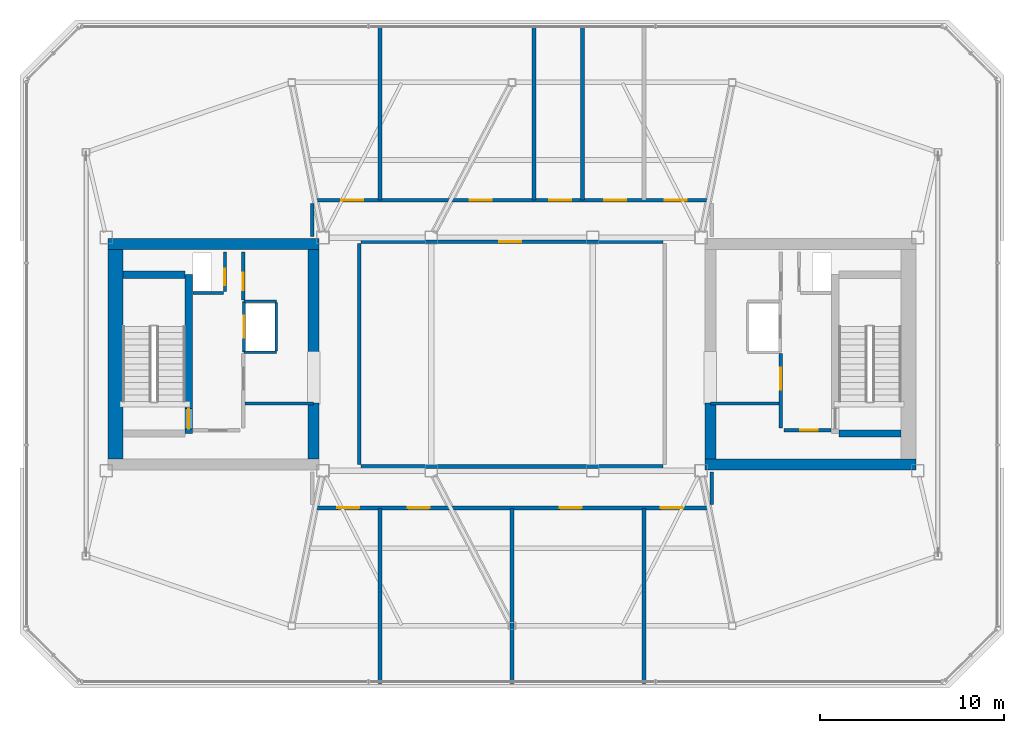
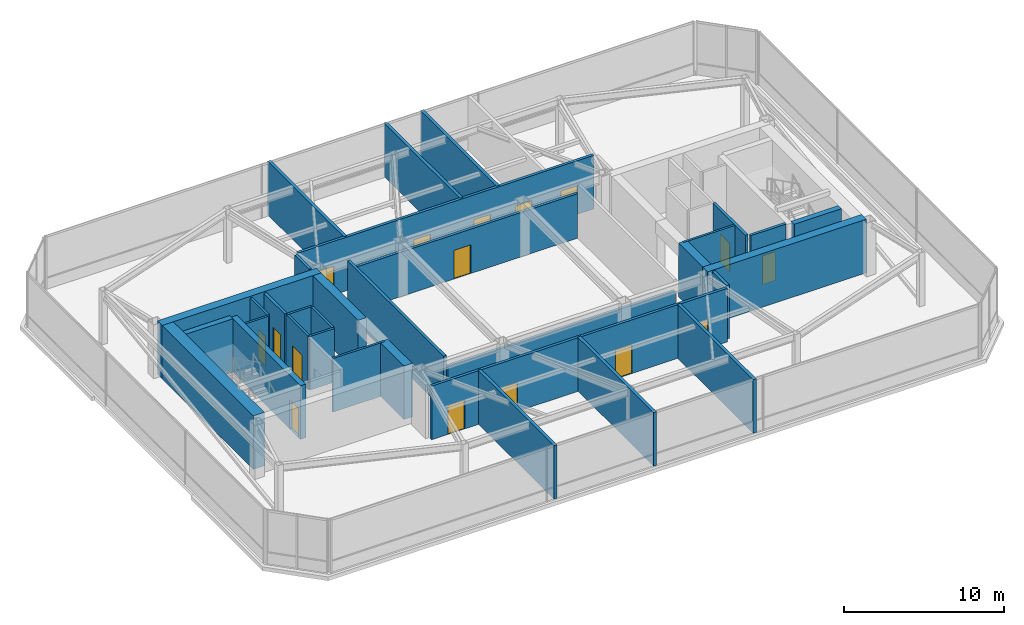
# One storey, part 17 of 21: 33 walls, 16 doors, 16 openings.
"""IFC4 building model written with IfcOpenShell, lengths in metres."""

from ifc_helpers import new_model, si_unit, direction, frame, frame_2d, origin, place, context, subcontext, project, spatial, rectangle, extrude, material, layer, layer_set, type_object, element, fill, save


model = new_model("IFC4")

# Units and contexts
model_context = context("Model", 3, precision=1e-05, world=origin(), true_north=direction((0.0, 1.0)))
body_context = subcontext(model_context, "Body", "Model", "MODEL_VIEW")
ifc_project = project(units=[si_unit("LENGTHUNIT", "METRE"), si_unit("AREAUNIT", "SQUARE_METRE"), si_unit("VOLUMEUNIT", "CUBIC_METRE"), si_unit("PLANEANGLEUNIT", "RADIAN"), si_unit("MASSUNIT", "GRAM", prefix="KILO")], contexts=[model_context])

# Site, building, storey
site_placement = place(None, origin())
site = spatial("IfcSite", under=ifc_project, at=site_placement, CompositionType="ELEMENT")
building_placement = place(site_placement, origin())
building = spatial("IfcBuilding", under=site, at=building_placement, Name="Tavrogorsk Clinical Tower", CompositionType="ELEMENT")
storey_placement = place(building_placement, frame((0.0, 0.0, 344.199951171875)))
storey = spatial("IfcBuildingStorey", under=building, at=storey_placement, Name="L80", CompositionType="ELEMENT", Elevation=344.199951171875)

# Wall, opening, door
ifc_material_1 = material(Name="Concrete B60", Category="concrete")
ifc_layer_1 = layer(ifc_material_1, 0.199951171875)
ifc_layer_set_1 = layer_set([ifc_layer_1], Name="Concrete B60")
wall_type_1 = type_object("IfcWallType", Name="CoreFireWall_200", PredefinedType="SOLIDWALL", material=ifc_layer_set_1)
wall_1_placement = place(storey_placement, frame((-14.639892578125, 2.9599609375, 0.0), z_axis=(0.0, 0.0, 1.0), x_axis=(0.0, 1.0, 0.0)))
wall_1 = element("IfcWall", 1, at=wall_1_placement, inside=storey, type_object=wall_type_1, Name="L80 Core West North Core Room East Wall", PredefinedType="SOLIDWALL", context=body_context, shape_type="SweptSolid", body=[
    extrude(rectangle(XDim=2.60009765625, YDim=0.199951171875, at=frame_2d((1.300048828125, 0.0))), origin(), (0.0, 0.0, 1.0), 4.10009765625),
])
opening_1_placement = place(wall_1_placement, frame((0.52001953125, 0.0, 0.0)))
opening_1 = element("IfcOpeningElement", 2, at=opening_1_placement, cuts=wall_1, Name="Opening ID-02", PredefinedType="OPENING", context=body_context, shape_type="SweptSolid", body=[
    extrude(rectangle(XDim=0.949951171875, YDim=2.199951171875, at=frame_2d((0.47509765625, 1.10009765625))), frame((0.0, 0.10986328125, 0.0), z_axis=(0.0, -1.0, 0.0), x_axis=(1.0, 0.0, 0.0)), (0.0, 0.0, 1.0), 0.219970703125),
])
ifc_material_2 = material(Name="Laminated timber leaf on aluminium frame", Category="wood")
door_type_1 = type_object("IfcDoorType", Name="InteriorDoor_ID02_950", OperationType="NOTDEFINED", PredefinedType="DOOR", material=ifc_material_2)
door_1_placement = place(opening_1_placement, origin())
door_1 = element("IfcDoor", 3, at=door_1_placement, inside=storey, type_object=door_type_1, Name="L80 Core West Core Telemetry Room Door", OperationType="SINGLE_SWING_LEFT", OverallHeight=2.199951171875, OverallWidth=0.949951171875, PredefinedType="DOOR", context=body_context, shape_type="SweptSolid", body=[
    extrude(rectangle(XDim=0.949951171875, YDim=2.199951171875, at=frame_2d((0.47509765625, 1.10009765625))), frame((0.0, 0.02490234375, 0.0), z_axis=(0.0, -1.0, 0.0), x_axis=(1.0, 0.0, 0.0)), (0.0, 0.0, 1.0), 0.050048828125),
])
fill(opening_1, door_1)

wall_2_placement = place(storey_placement, frame((14.824951171875, -4.139892578125, 0.0), z_axis=(0.0, 0.0, 1.0), x_axis=(1.0, 0.0, 0.0)))
wall_2 = element("IfcWall", 4, at=wall_2_placement, inside=storey, type_object=wall_type_1, Name="L80 Core East South Core Room Fire Wall", PredefinedType="SOLIDWALL", context=body_context, shape_type="SweptSolid", body=[
    extrude(rectangle(XDim=2.554931640625, YDim=0.199951171875, at=frame_2d((1.27734375, 0.0))), origin(), (0.0, 0.0, 1.0), 4.10009765625),
])
opening_2_placement = place(wall_2_placement, frame((0.8798828125, 0.0, 0.0)))
opening_2 = element("IfcOpeningElement", 5, at=opening_2_placement, cuts=wall_2, Name="Opening ID-02", PredefinedType="OPENING", context=body_context, shape_type="SweptSolid", body=[
    extrude(rectangle(XDim=0.949951171875, YDim=2.199951171875, at=frame_2d((0.47509765625, 1.10009765625))), frame((0.0, 0.10986328125, 0.0), z_axis=(0.0, -1.0, 0.0), x_axis=(1.0, 0.0, 0.0)), (0.0, 0.0, 1.0), 0.219970703125),
])
door_2_placement = place(opening_2_placement, origin())
door_2 = element("IfcDoor", 6, at=door_2_placement, inside=storey, type_object=door_type_1, Name="L80 Core East South Core Room Door", OperationType="SINGLE_SWING_RIGHT", OverallHeight=2.199951171875, OverallWidth=0.949951171875, PredefinedType="DOOR", context=body_context, shape_type="SweptSolid", body=[
    extrude(rectangle(XDim=0.949951171875, YDim=2.199951171875, at=frame_2d((0.47509765625, 1.10009765625))), frame((0.0, 0.02490234375, 0.0), z_axis=(0.0, -1.0, 0.0), x_axis=(1.0, 0.0, 0.0)), (0.0, 0.0, 1.0), 0.050048828125),
])
fill(opening_2, door_2)

wall_3_placement = place(storey_placement, frame((14.639892578125, -4.034912109375, 0.0), z_axis=(0.0, 0.0, 1.0), x_axis=(0.0, 1.0, 0.0)))
wall_3 = element("IfcWall", 7, at=wall_3_placement, inside=storey, type_object=wall_type_1, Name="L80 Core East Firefighting Lobby Fire Wall", PredefinedType="SOLIDWALL", context=body_context, shape_type="SweptSolid", body=[
    extrude(rectangle(XDim=4.074951171875, YDim=0.199951171875, at=frame_2d((2.03759765625, 0.0))), origin(), (0.0, 0.0, 1.0), 4.10009765625),
])
opening_3_placement = place(wall_3_placement, frame((2.090087890625, 0.0, 0.0)))
opening_3 = element("IfcOpeningElement", 8, at=opening_3_placement, cuts=wall_3, Name="Opening FD-01", PredefinedType="OPENING", context=body_context, shape_type="SweptSolid", body=[
    extrude(rectangle(XDim=1.199951171875, YDim=2.199951171875, at=frame_2d((0.60009765625, 1.10009765625))), frame((0.0, 0.10986328125, 0.0), z_axis=(0.0, -1.0, 0.0), x_axis=(1.0, 0.0, 0.0)), (0.0, 0.0, 1.0), 0.219970703125),
])
ifc_material_3 = material(Name="Galvanised steel fire-rated door assembly", Category="steel")
door_type_2 = type_object("IfcDoorType", Name="FireDoor_FD01_1200", OperationType="NOTDEFINED", PredefinedType="DOOR", material=ifc_material_3)
door_3_placement = place(opening_3_placement, origin())
door_3 = element("IfcDoor", 9, at=door_3_placement, inside=storey, type_object=door_type_2, Name="L80 Core East Firefighting Lobby Entry Door", OperationType="SINGLE_SWING_RIGHT", OverallHeight=2.199951171875, OverallWidth=1.199951171875, PredefinedType="DOOR", context=body_context, shape_type="SweptSolid", body=[
    extrude(rectangle(XDim=1.199951171875, YDim=2.199951171875, at=frame_2d((0.60009765625, 1.10009765625))), frame((0.0, 0.02490234375, 0.0), z_axis=(0.0, -1.0, 0.0), x_axis=(1.0, 0.0, 0.0)), (0.0, 0.0, 1.0), 0.050048828125),
])
fill(opening_3, door_3)

# Wall
wall_4_placement = place(storey_placement, frame((-10.8798828125, 6.419921875, 0.0), z_axis=(0.0, 0.0, 1.0), x_axis=(0.0, 1.0, 0.0)))
element("IfcWall", 10, at=wall_4_placement, inside=storey, type_object=wall_type_1, Name="L80 Crown Corridor Wall 02", PredefinedType="SOLIDWALL", context=body_context, shape_type="SweptSolid", body=[
    extrude(rectangle(XDim=1.775146484375, YDim=0.199951171875, at=frame_2d((0.8876953125, 0.0))), origin(), (0.0, 0.0, 1.0), 4.10009765625),
])

# Wall, openings, doors
wall_5_placement = place(storey_placement, frame((-10.695068359375, 8.3798828125, 0.0), z_axis=(0.0, 0.0, 1.0), x_axis=(1.0, 0.0, 0.0)))
wall_5 = element("IfcWall", 11, at=wall_5_placement, inside=storey, type_object=wall_type_1, Name="L80 Crown Corridor Wall 03", PredefinedType="SOLIDWALL", context=body_context, shape_type="SweptSolid", body=[
    extrude(rectangle(XDim=21.39013671875, YDim=0.199951171875, at=frame_2d((10.695068359375, 0.0))), origin(), (0.0, 0.0, 1.0), 4.10009765625),
])
opening_4_placement = place(wall_5_placement, frame((8.39990234375, 0.0, 0.0)))
opening_4 = element("IfcOpeningElement", 12, at=opening_4_placement, cuts=wall_5, Name="Opening FD-01", PredefinedType="OPENING", context=body_context, shape_type="SweptSolid", body=[
    extrude(rectangle(XDim=1.199951171875, YDim=2.199951171875, at=frame_2d((0.60009765625, 1.10009765625))), frame((0.0, 0.10986328125, 0.0), z_axis=(0.0, -1.0, 0.0), x_axis=(1.0, 0.0, 0.0)), (0.0, 0.0, 1.0), 0.219970703125),
])
opening_5_placement = place(wall_5_placement, frame((12.72509765625, 0.0, 0.0)))
opening_5 = element("IfcOpeningElement", 13, at=opening_5_placement, cuts=wall_5, Name="Opening FD-01", PredefinedType="OPENING", context=body_context, shape_type="SweptSolid", body=[
    extrude(rectangle(XDim=1.199951171875, YDim=2.199951171875, at=frame_2d((0.60009765625, 1.10009765625))), frame((0.0, 0.10986328125, 0.0), z_axis=(0.0, -1.0, 0.0), x_axis=(1.0, 0.0, 0.0)), (0.0, 0.0, 1.0), 0.219970703125),
])
opening_6_placement = place(wall_5_placement, frame((15.72509765625, 0.0, 0.0)))
opening_6 = element("IfcOpeningElement", 14, at=opening_6_placement, cuts=wall_5, Name="Opening FD-01", PredefinedType="OPENING", context=body_context, shape_type="SweptSolid", body=[
    extrude(rectangle(XDim=1.199951171875, YDim=2.199951171875, at=frame_2d((0.60009765625, 1.10009765625))), frame((0.0, 0.10986328125, 0.0), z_axis=(0.0, -1.0, 0.0), x_axis=(1.0, 0.0, 0.0)), (0.0, 0.0, 1.0), 0.219970703125),
])
opening_7_placement = place(wall_5_placement, frame((1.39404296875, 0.0, 0.0)))
opening_7 = element("IfcOpeningElement", 15, at=opening_7_placement, cuts=wall_5, Name="Opening FD-01", PredefinedType="OPENING", context=body_context, shape_type="SweptSolid", body=[
    extrude(rectangle(XDim=1.199951171875, YDim=2.199951171875, at=frame_2d((0.60009765625, 1.10009765625))), frame((0.0, 0.10986328125, 0.0), z_axis=(0.0, -1.0, 0.0), x_axis=(1.0, 0.0, 0.0)), (0.0, 0.0, 1.0), 0.219970703125),
])
opening_8_placement = place(wall_5_placement, frame((19.005859375, 0.0, 0.0)))
opening_8 = element("IfcOpeningElement", 16, at=opening_8_placement, cuts=wall_5, Name="Opening FD-01", PredefinedType="OPENING", context=body_context, shape_type="SweptSolid", body=[
    extrude(rectangle(XDim=1.199951171875, YDim=2.199951171875, at=frame_2d((0.60009765625, 1.10009765625))), frame((0.0, 0.10986328125, 0.0), z_axis=(0.0, -1.0, 0.0), x_axis=(1.0, 0.0, 0.0)), (0.0, 0.0, 1.0), 0.219970703125),
])
door_4_placement = place(opening_4_placement, origin())
door_4 = element("IfcDoor", 17, at=door_4_placement, inside=storey, type_object=door_type_2, Name="L80 Medium-Voltage Transformer Plant NW Door", OperationType="SINGLE_SWING_RIGHT", OverallHeight=2.199951171875, OverallWidth=1.199951171875, PredefinedType="DOOR", context=body_context, shape_type="SweptSolid", body=[
    extrude(rectangle(XDim=1.199951171875, YDim=2.199951171875, at=frame_2d((0.60009765625, 1.10009765625))), frame((0.0, 0.02490234375, 0.0), z_axis=(0.0, -1.0, 0.0), x_axis=(1.0, 0.0, 0.0)), (0.0, 0.0, 1.0), 0.050048828125),
])
fill(opening_4, door_4)
door_5_placement = place(opening_5_placement, origin())
door_5 = element("IfcDoor", 18, at=door_5_placement, inside=storey, type_object=door_type_2, Name="L80 Mast RF Transmitter Plant NE Door", OperationType="SINGLE_SWING_LEFT", OverallHeight=2.199951171875, OverallWidth=1.199951171875, PredefinedType="DOOR", context=body_context, shape_type="SweptSolid", body=[
    extrude(rectangle(XDim=1.199951171875, YDim=2.199951171875, at=frame_2d((0.60009765625, 1.10009765625))), frame((0.0, 0.02490234375, 0.0), z_axis=(0.0, -1.0, 0.0), x_axis=(1.0, 0.0, 0.0)), (0.0, 0.0, 1.0), 0.050048828125),
])
fill(opening_5, door_5)
door_6_placement = place(opening_6_placement, origin())
door_6 = element("IfcDoor", 19, at=door_6_placement, inside=storey, type_object=door_type_2, Name="L80 Helipad De-Icing Plant NE Door", OperationType="SINGLE_SWING_RIGHT", OverallHeight=2.199951171875, OverallWidth=1.199951171875, PredefinedType="DOOR", context=body_context, shape_type="SweptSolid", body=[
    extrude(rectangle(XDim=1.199951171875, YDim=2.199951171875, at=frame_2d((0.60009765625, 1.10009765625))), frame((0.0, 0.02490234375, 0.0), z_axis=(0.0, -1.0, 0.0), x_axis=(1.0, 0.0, 0.0)), (0.0, 0.0, 1.0), 0.050048828125),
])
fill(opening_6, door_6)
door_7_placement = place(opening_7_placement, origin())
door_7 = element("IfcDoor", 20, at=door_7_placement, inside=storey, type_object=door_type_2, Name="L80 Glycol Pump & Expansion Plant WN Door", OperationType="SINGLE_SWING_LEFT", OverallHeight=2.199951171875, OverallWidth=1.199951171875, PredefinedType="DOOR", context=body_context, shape_type="SweptSolid", body=[
    extrude(rectangle(XDim=1.199951171875, YDim=2.199951171875, at=frame_2d((0.60009765625, 1.10009765625))), frame((0.0, 0.02490234375, 0.0), z_axis=(0.0, -1.0, 0.0), x_axis=(1.0, 0.0, 0.0)), (0.0, 0.0, 1.0), 0.050048828125),
])
fill(opening_7, door_7)
door_8_placement = place(opening_8_placement, origin())
door_8 = element("IfcDoor", 21, at=door_8_placement, inside=storey, type_object=door_type_2, Name="L80 Glycol Pump & Expansion Plant EN Door", OperationType="SINGLE_SWING_RIGHT", OverallHeight=2.199951171875, OverallWidth=1.199951171875, PredefinedType="DOOR", context=body_context, shape_type="SweptSolid", body=[
    extrude(rectangle(XDim=1.199951171875, YDim=2.199951171875, at=frame_2d((0.60009765625, 1.10009765625))), frame((0.0, 0.02490234375, 0.0), z_axis=(0.0, -1.0, 0.0), x_axis=(1.0, 0.0, 0.0)), (0.0, 0.0, 1.0), 0.050048828125),
])
fill(opening_8, door_8)

# Wall
wall_6_placement = place(storey_placement, frame((10.8798828125, -6.419921875, 0.0), z_axis=(0.0, 0.0, 1.0), x_axis=(0.0, -1.0, 0.0)))
element("IfcWall", 22, at=wall_6_placement, inside=storey, type_object=wall_type_1, Name="L80 Crown Corridor Wall 05", PredefinedType="SOLIDWALL", context=body_context, shape_type="SweptSolid", body=[
    extrude(rectangle(XDim=1.775146484375, YDim=0.199951171875, at=frame_2d((0.8876953125, 0.0))), origin(), (0.0, 0.0, 1.0), 4.10009765625),
])

# Wall, openings, doors
wall_7_placement = place(storey_placement, frame((10.695068359375, -8.3798828125, 0.0), z_axis=(0.0, 0.0, 1.0), x_axis=(-1.0, 0.0, 0.0)))
wall_7 = element("IfcWall", 23, at=wall_7_placement, inside=storey, type_object=wall_type_1, Name="L80 Crown Corridor Wall 06", PredefinedType="SOLIDWALL", context=body_context, shape_type="SweptSolid", body=[
    extrude(rectangle(XDim=21.39013671875, YDim=0.199951171875, at=frame_2d((10.695068359375, 0.0))), origin(), (0.0, 0.0, 1.0), 4.10009765625),
])
opening_9_placement = place(wall_7_placement, frame((15.179931640625, 0.0, 0.0)))
opening_9 = element("IfcOpeningElement", 24, at=opening_9_placement, cuts=wall_7, Name="Opening FD-01", PredefinedType="OPENING", context=body_context, shape_type="SweptSolid", body=[
    extrude(rectangle(XDim=1.199951171875, YDim=2.199951171875, at=frame_2d((0.60009765625, 1.10009765625))), frame((0.0, 0.10986328125, 0.0), z_axis=(0.0, -1.0, 0.0), x_axis=(1.0, 0.0, 0.0)), (0.0, 0.0, 1.0), 0.219970703125),
])
opening_10_placement = place(wall_7_placement, frame((6.89990234375, 0.0, 0.0)))
opening_10 = element("IfcOpeningElement", 25, at=opening_10_placement, cuts=wall_7, Name="Opening FD-01", PredefinedType="OPENING", context=body_context, shape_type="SweptSolid", body=[
    extrude(rectangle(XDim=1.199951171875, YDim=2.199951171875, at=frame_2d((0.60009765625, 1.10009765625))), frame((0.0, 0.10986328125, 0.0), z_axis=(0.0, -1.0, 0.0), x_axis=(1.0, 0.0, 0.0)), (0.0, 0.0, 1.0), 0.219970703125),
])
opening_11_placement = place(wall_7_placement, frame((19.005859375, 0.0, 0.0)))
opening_11 = element("IfcOpeningElement", 26, at=opening_11_placement, cuts=wall_7, Name="Opening FD-01", PredefinedType="OPENING", context=body_context, shape_type="SweptSolid", body=[
    extrude(rectangle(XDim=1.199951171875, YDim=2.199951171875, at=frame_2d((0.60009765625, 1.10009765625))), frame((0.0, 0.10986328125, 0.0), z_axis=(0.0, -1.0, 0.0), x_axis=(1.0, 0.0, 0.0)), (0.0, 0.0, 1.0), 0.219970703125),
])
opening_12_placement = place(wall_7_placement, frame((1.39404296875, 0.0, 0.0)))
opening_12 = element("IfcOpeningElement", 27, at=opening_12_placement, cuts=wall_7, Name="Opening FD-01", PredefinedType="OPENING", context=body_context, shape_type="SweptSolid", body=[
    extrude(rectangle(XDim=1.199951171875, YDim=2.199951171875, at=frame_2d((0.60009765625, 1.10009765625))), frame((0.0, 0.10986328125, 0.0), z_axis=(0.0, -1.0, 0.0), x_axis=(1.0, 0.0, 0.0)), (0.0, 0.0, 1.0), 0.219970703125),
])
door_9_placement = place(opening_9_placement, origin())
door_9 = element("IfcDoor", 28, at=door_9_placement, inside=storey, type_object=door_type_2, Name="L80 Heat-Recovery AHU Plant SW Door", OperationType="SINGLE_SWING_RIGHT", OverallHeight=2.199951171875, OverallWidth=1.199951171875, PredefinedType="DOOR", context=body_context, shape_type="SweptSolid", body=[
    extrude(rectangle(XDim=1.199951171875, YDim=2.199951171875, at=frame_2d((0.60009765625, 1.10009765625))), frame((0.0, 0.02490234375, 0.0), z_axis=(0.0, -1.0, 0.0), x_axis=(1.0, 0.0, 0.0)), (0.0, 0.0, 1.0), 0.050048828125),
])
fill(opening_9, door_9)
door_10_placement = place(opening_10_placement, origin())
door_10 = element("IfcDoor", 29, at=door_10_placement, inside=storey, type_object=door_type_2, Name="L80 Smoke-Extract Fan Plant SE Door", OperationType="SINGLE_SWING_LEFT", OverallHeight=2.199951171875, OverallWidth=1.199951171875, PredefinedType="DOOR", context=body_context, shape_type="SweptSolid", body=[
    extrude(rectangle(XDim=1.199951171875, YDim=2.199951171875, at=frame_2d((0.60009765625, 1.10009765625))), frame((0.0, 0.02490234375, 0.0), z_axis=(0.0, -1.0, 0.0), x_axis=(1.0, 0.0, 0.0)), (0.0, 0.0, 1.0), 0.050048828125),
])
fill(opening_10, door_10)
door_11_placement = place(opening_11_placement, origin())
door_11 = element("IfcDoor", 30, at=door_11_placement, inside=storey, type_object=door_type_2, Name="L80 Pressurisation Fan Plant WS Door", OperationType="SINGLE_SWING_LEFT", OverallHeight=2.199951171875, OverallWidth=1.199951171875, PredefinedType="DOOR", context=body_context, shape_type="SweptSolid", body=[
    extrude(rectangle(XDim=1.199951171875, YDim=2.199951171875, at=frame_2d((0.60009765625, 1.10009765625))), frame((0.0, 0.02490234375, 0.0), z_axis=(0.0, -1.0, 0.0), x_axis=(1.0, 0.0, 0.0)), (0.0, 0.0, 1.0), 0.050048828125),
])
fill(opening_11, door_11)
door_12_placement = place(opening_12_placement, origin())
door_12 = element("IfcDoor", 31, at=door_12_placement, inside=storey, type_object=door_type_2, Name="L80 Pressurisation Fan Plant ES Door", OperationType="SINGLE_SWING_RIGHT", OverallHeight=2.199951171875, OverallWidth=1.199951171875, PredefinedType="DOOR", context=body_context, shape_type="SweptSolid", body=[
    extrude(rectangle(XDim=1.199951171875, YDim=2.199951171875, at=frame_2d((0.60009765625, 1.10009765625))), frame((0.0, 0.02490234375, 0.0), z_axis=(0.0, -1.0, 0.0), x_axis=(1.0, 0.0, 0.0)), (0.0, 0.0, 1.0), 0.050048828125),
])
fill(opening_12, door_12)

# Wall, opening, door
wall_8_placement = place(storey_placement, frame((8.215087890625, 6.1201171875, 0.0), z_axis=(0.0, 0.0, 1.0), x_axis=(-1.0, 0.0, 0.0)))
wall_8 = element("IfcWall", 32, at=wall_8_placement, inside=storey, type_object=wall_type_1, Name="L80 Crown Corridor Wall 08", PredefinedType="SOLIDWALL", context=body_context, shape_type="SweptSolid", body=[
    extrude(rectangle(XDim=16.43017578125, YDim=0.199951171875, at=frame_2d((8.215087890625, 0.0))), origin(), (0.0, 0.0, 1.0), 3.39501953125),
])
opening_13_placement = place(wall_8_placement, frame((7.719970703125, 0.0, 0.0)))
opening_13 = element("IfcOpeningElement", 33, at=opening_13_placement, cuts=wall_8, Name="Opening FD-01", PredefinedType="OPENING", context=body_context, shape_type="SweptSolid", body=[
    extrude(rectangle(XDim=1.199951171875, YDim=2.199951171875, at=frame_2d((0.60009765625, 1.10009765625))), frame((0.0, 0.10986328125, 0.0), z_axis=(0.0, -1.0, 0.0), x_axis=(1.0, 0.0, 0.0)), (0.0, 0.0, 1.0), 0.219970703125),
])
door_13_placement = place(opening_13_placement, origin())
door_13 = element("IfcDoor", 34, at=door_13_placement, inside=storey, type_object=door_type_2, Name="L80 Broadcast & Helipad Telemetry Plant Door", OperationType="SINGLE_SWING_LEFT", OverallHeight=2.199951171875, OverallWidth=1.199951171875, PredefinedType="DOOR", context=body_context, shape_type="SweptSolid", body=[
    extrude(rectangle(XDim=1.199951171875, YDim=2.199951171875, at=frame_2d((0.60009765625, 1.10009765625))), frame((0.0, 0.02490234375, 0.0), z_axis=(0.0, -1.0, 0.0), x_axis=(1.0, 0.0, 0.0)), (0.0, 0.0, 1.0), 0.050048828125),
])
fill(opening_13, door_13)

# Walls
wall_9_placement = place(storey_placement, frame((-8.320068359375, 6.014892578125, 0.0), z_axis=(0.0, 0.0, 1.0), x_axis=(0.0, -1.0, 0.0)))
element("IfcWall", 35, at=wall_9_placement, inside=storey, type_object=wall_type_1, Name="L80 Crown Corridor Wall 09", PredefinedType="SOLIDWALL", context=body_context, shape_type="SweptSolid", body=[
    extrude(rectangle(XDim=12.02978515625, YDim=0.199951171875, at=frame_2d((6.014892578125, 0.0))), origin(), (0.0, 0.0, 1.0), 4.10009765625),
])
wall_10_placement = place(storey_placement, frame((-8.215087890625, -6.1201171875, 0.0), z_axis=(0.0, 0.0, 1.0), x_axis=(1.0, 0.0, 0.0)))
element("IfcWall", 36, at=wall_10_placement, inside=storey, type_object=wall_type_1, Name="L80 Crown Corridor Wall 10", PredefinedType="SOLIDWALL", context=body_context, shape_type="SweptSolid", body=[
    extrude(rectangle(XDim=16.43017578125, YDim=0.199951171875, at=frame_2d((8.215087890625, 0.0))), origin(), (0.0, 0.0, 1.0), 3.39501953125),
])
ifc_material_4 = material(Name="Lightweight concrete blockwork B15", Category="masonry")
ifc_layer_2 = layer(ifc_material_4, 0.159912109375)
ifc_layer_set_2 = layer_set([ifc_layer_2], Name="Lightweight concrete blockwork B15")
wall_type_2 = type_object("IfcWallType", Name="PartitionWall_160", PredefinedType="PARTITIONING", material=ifc_layer_set_2)
for number, where, z_axis, x_axis, name in (
    (37, (-14.534912109375, -2.699951171875, 0.0), (0.0, 0.0, 1.0), (1.0, 0.0, 0.0), "L80 Core West Freed Mid-Bank North Partition"),
    (38, (10.800048828125, -2.699951171875, 0.0), (0.0, 0.0, 1.0), (1.0, 0.0, 0.0), "L80 Core East Freed Mid-Bank North Partition"),
):
    element("IfcWall", number, at=place(storey_placement, frame(where, z_axis=z_axis, x_axis=x_axis)), inside=storey, type_object=wall_type_2, Name=name, PredefinedType="PARTITIONING", context=body_context, shape_type="SweptSolid", body=[
        extrude(rectangle(XDim=3.73486328125, YDim=0.159912109375, at=frame_2d((1.867431640625, 0.0))), origin(), (0.0, 0.0, 1.0), 4.10009765625),
    ])
ifc_material_5 = material(Name="Concrete B45", Category="concrete")
ifc_layer_3 = layer(ifc_material_5, 0.219970703125)
ifc_layer_set_3 = layer_set([ifc_layer_3], Name="Concrete B45")
wall_type_3 = type_object("IfcWallType", Name="PartitionWall_220", PredefinedType="SOLIDWALL", material=ifc_layer_set_3)
for number, where, z_axis, x_axis, name in (
    (39, (-7.199951171875, -17.929931640625, 0.0), (0.0, 0.0, 1.0), (0.0, 1.0, 0.0), "L80 Crown Partition 1"),
    (40, (7.199951171875, -17.929931640625, 0.0), (0.0, 0.0, 1.0), (0.0, 1.0, 0.0), "L80 Crown Partition 2"),
    (41, (-7.199951171875, 8.405029296875, 0.0), (0.0, 0.0, 1.0), (0.0, 1.0, 0.0), "L80 Crown Partition 3"),
    (42, (0.0, -17.929931640625, 0.0), (0.0, 0.0, 1.0), (0.0, 1.0, 0.0), "L80 Crown Partition 5"),
    (43, (1.199951171875, 8.405029296875, 0.0), (0.0, 0.0, 1.0), (0.0, 1.0, 0.0), "L80 Crown Partition 6"),
    (44, (3.85009765625, 8.405029296875, 0.0), (0.0, 0.0, 1.0), (0.0, 1.0, 0.0), "L80 Crown Partition 7"),
):
    element("IfcWall", number, at=place(storey_placement, frame(where, z_axis=z_axis, x_axis=x_axis)), inside=storey, type_object=wall_type_3, Name=name, PredefinedType="SOLIDWALL", context=body_context, shape_type="SweptSolid", body=[
        extrude(rectangle(XDim=9.52490234375, YDim=0.219970703125, at=frame_2d((4.762451171875, 0.0))), origin(), (0.0, 0.0, 1.0), 4.10009765625),
    ])

# Wall, opening, door
ifc_material_6 = material(Name="Lightweight concrete blockwork B25", Category="masonry")
ifc_layer_4 = layer(ifc_material_6, 0.159912109375)
ifc_layer_set_4 = layer_set([ifc_layer_4], Name="Lightweight concrete blockwork B25")
wall_type_4 = type_object("IfcWallType", Name="ShaftWall_160", PredefinedType="PARTITIONING", material=ifc_layer_set_4)
wall_11_placement = place(storey_placement, frame((-14.60009765625, 0.1201171875, 0.0), z_axis=(0.0, 0.0, 1.0), x_axis=(0.0, 1.0, 0.0)))
wall_11 = element("IfcWall", 45, at=wall_11_placement, inside=storey, type_object=wall_type_4, Name="L80 FFL-W Firefighting Lift Front Wall", PredefinedType="PARTITIONING", context=body_context, shape_type="SweptSolid", body=[
    extrude(rectangle(XDim=2.739990234375, YDim=0.159912109375, at=frame_2d((1.3701171875, 0.0))), origin(), (0.0, 0.0, 1.0), 4.10009765625),
])
opening_14_placement = place(wall_11_placement, frame((0.77001953125, 0.0, 0.0)))
opening_14 = element("IfcOpeningElement", 46, at=opening_14_placement, cuts=wall_11, Name="Opening LD", PredefinedType="OPENING", context=body_context, shape_type="SweptSolid", body=[
    extrude(rectangle(XDim=1.199951171875, YDim=2.199951171875, at=frame_2d((0.60009765625, 1.10009765625))), frame((0.0, 0.08984375, 0.0), z_axis=(0.0, -1.0, 0.0), x_axis=(1.0, 0.0, 0.0)), (0.0, 0.0, 1.0), 0.179931640625),
])
ifc_material_7 = material(Name="Brushed stainless steel AISI 304 sliding doors", Category="steel")
door_type_3 = type_object("IfcDoorType", Name="LiftLandingDoor_LD_1200", OperationType="SLIDING_TO_LEFT", PredefinedType="DOOR", material=ifc_material_7)
door_14_placement = place(opening_14_placement, origin())
door_14 = element("IfcDoor", 47, at=door_14_placement, inside=storey, type_object=door_type_3, Name="L80 FFL-W Sliding Lift Landing Door", OperationType="SLIDING_TO_LEFT", OverallHeight=2.199951171875, OverallWidth=1.199951171875, PredefinedType="DOOR", context=body_context, shape_type="SweptSolid", body=[
    extrude(rectangle(XDim=1.199951171875, YDim=2.199951171875, at=frame_2d((0.60009765625, 1.10009765625))), frame((0.0, 0.02490234375, 0.0), z_axis=(0.0, -1.0, 0.0), x_axis=(1.0, 0.0, 0.0)), (0.0, 0.0, 1.0), 0.050048828125),
])
fill(opening_14, door_14)

# Walls
for number, where, z_axis, x_axis, name in (
    (48, (-14.60009765625, 0.10009765625, 0.0), (0.0, 0.0, 1.0), (1.0, 0.0, 0.0), "L80 FFL-W Shaft South Wall"),
    (49, (-14.60009765625, 2.8798828125, 0.0), (0.0, 0.0, 1.0), (1.0, 0.0, 0.0), "L80 FFL-W Shaft North Wall"),
):
    element("IfcWall", number, at=place(storey_placement, frame(where, z_axis=z_axis, x_axis=x_axis)), inside=storey, type_object=wall_type_4, Name=name, PredefinedType="PARTITIONING", context=body_context, shape_type="SweptSolid", body=[
        extrude(rectangle(XDim=1.760009765625, YDim=0.159912109375, at=frame_2d((0.8798828125, 0.0))), origin(), (0.0, 0.0, 1.0), 4.10009765625),
    ])
wall_12_placement = place(storey_placement, frame((-12.840087890625, 0.179931640625, 0.0), z_axis=(0.0, 0.0, 1.0), x_axis=(0.0, 1.0, 0.0)))
element("IfcWall", 50, at=wall_12_placement, inside=storey, type_object=wall_type_4, Name="L80 FFL-W Shaft Back Wall", PredefinedType="PARTITIONING", context=body_context, shape_type="SweptSolid", body=[
    extrude(rectangle(XDim=2.6201171875, YDim=0.159912109375, at=frame_2d((1.31005859375, 0.0))), origin(), (0.0, 0.0, 1.0), 4.10009765625),
])

# Wall, opening, door
wall_13_placement = place(storey_placement, frame((-15.639892578125, 3.405029296875, 0.0), z_axis=(0.0, 0.0, 1.0), x_axis=(0.0, 1.0, 0.0)))
wall_13 = element("IfcWall", 51, at=wall_13_placement, inside=storey, type_object=wall_type_4, Name="L80 Core West Riser West Wall", PredefinedType="PARTITIONING", context=body_context, shape_type="SweptSolid", body=[
    extrude(rectangle(XDim=2.155029296875, YDim=0.159912109375, at=frame_2d((1.07763671875, 0.0))), origin(), (0.0, 0.0, 1.0), 4.10009765625),
])
opening_15_placement = place(wall_13_placement, frame((0.35009765625, 0.0, 0.0)))
opening_15 = element("IfcOpeningElement", 52, at=opening_15_placement, cuts=wall_13, Name="Opening FD-02", PredefinedType="OPENING", context=body_context, shape_type="SweptSolid", body=[
    extrude(rectangle(XDim=0.89990234375, YDim=2.199951171875, at=frame_2d((0.449951171875, 1.10009765625))), frame((0.0, 0.08984375, 0.0), z_axis=(0.0, -1.0, 0.0), x_axis=(1.0, 0.0, 0.0)), (0.0, 0.0, 1.0), 0.179931640625),
])
ifc_material_8 = material(Name="Galvanised steel fire-rated door assembly", Category="steel")
door_type_4 = type_object("IfcDoorType", Name="FireDoor_FD02_900", OperationType="NOTDEFINED", PredefinedType="DOOR", material=ifc_material_8)
door_15_placement = place(opening_15_placement, origin())
door_15 = element("IfcDoor", 53, at=door_15_placement, inside=storey, type_object=door_type_4, Name="L80 Core West Electrical Riser Access Door", OperationType="SINGLE_SWING_LEFT", OverallHeight=2.199951171875, OverallWidth=0.89990234375, PredefinedType="DOOR", context=body_context, shape_type="SweptSolid", body=[
    extrude(rectangle(XDim=0.89990234375, YDim=2.199951171875, at=frame_2d((0.449951171875, 1.10009765625))), frame((0.0, 0.02490234375, 0.0), z_axis=(0.0, -1.0, 0.0), x_axis=(1.0, 0.0, 0.0)), (0.0, 0.0, 1.0), 0.050048828125),
])
fill(opening_15, door_15)

# Wall
wall_14_placement = place(storey_placement, frame((-17.3798828125, 3.320068359375, 0.0), z_axis=(0.0, 0.0, 1.0), x_axis=(1.0, 0.0, 0.0)))
element("IfcWall", 54, at=wall_14_placement, inside=storey, type_object=wall_type_4, Name="L80 Core West Riser South Wall", PredefinedType="PARTITIONING", context=body_context, shape_type="SweptSolid", body=[
    extrude(rectangle(XDim=1.65478515625, YDim=0.159912109375, at=frame_2d((0.827392578125, 0.0))), origin(), (0.0, 0.0, 1.0), 4.10009765625),
])

# Wall, opening, door
ifc_material_9 = material(Name="Concrete B80", Category="concrete")
ifc_layer_5 = layer(ifc_material_9, 0.39990234375)
ifc_layer_set_5 = layer_set([ifc_layer_5], Name="Concrete B80")
wall_type_5 = type_object("IfcWallType", Name="ShearWall_400", PredefinedType="SHEAR", material=ifc_layer_set_5)
wall_15_placement = place(storey_placement, frame((-17.60009765625, -4.324951171875, 0.0), z_axis=(0.0, 0.0, 1.0), x_axis=(0.0, 1.0, 0.0)))
wall_15 = element("IfcWall", 55, at=wall_15_placement, inside=storey, type_object=wall_type_5, Name="L80 Core West Stair Shaft Inner Shear Wall", PredefinedType="SHEAR", context=body_context, shape_type="SweptSolid", body=[
    extrude(rectangle(XDim=8.64990234375, YDim=0.39990234375, at=frame_2d((4.324951171875, 0.0))), origin(), (0.0, 0.0, 1.0), 4.10009765625),
])
opening_16_placement = place(wall_15_placement, frame((0.25, 0.0, 0.0)))
opening_16 = element("IfcOpeningElement", 56, at=opening_16_placement, cuts=wall_15, Name="Opening SD-01", PredefinedType="OPENING", context=body_context, shape_type="SweptSolid", body=[
    extrude(rectangle(XDim=1.10009765625, YDim=2.199951171875, at=frame_2d((0.550048828125, 1.10009765625))), frame((0.0, 0.2099609375, 0.0), z_axis=(0.0, -1.0, 0.0), x_axis=(1.0, 0.0, 0.0)), (0.0, 0.0, 1.0), 0.419921875),
])
ifc_material_10 = material(Name="Galvanised steel smoke-tight fire door assembly", Category="steel")
door_type_5 = type_object("IfcDoorType", Name="StairFireDoor_SD01_1100", OperationType="NOTDEFINED", PredefinedType="DOOR", material=ifc_material_10)
door_16_placement = place(opening_16_placement, origin())
door_16 = element("IfcDoor", 57, at=door_16_placement, inside=storey, type_object=door_type_5, Name="L80 ST-W Exit Stair Door", OperationType="SINGLE_SWING_LEFT", OverallHeight=2.199951171875, OverallWidth=1.10009765625, PredefinedType="DOOR", context=body_context, shape_type="SweptSolid", body=[
    extrude(rectangle(XDim=1.10009765625, YDim=2.199951171875, at=frame_2d((0.550048828125, 1.10009765625))), frame((0.0, 0.02490234375, 0.0), z_axis=(0.0, -1.0, 0.0), x_axis=(1.0, 0.0, 0.0)), (0.0, 0.0, 1.0), 0.050048828125),
])
fill(opening_16, door_16)

# Walls
for number, where, z_axis, x_axis, name in (
    (58, (-21.199951171875, 4.324951171875, 0.0), (0.0, 0.0, 1.0), (1.0, 0.0, 0.0), "L80 Core West Stair Shaft North Shear Wall"),
    (59, (17.800048828125, -4.324951171875, 0.0), (0.0, 0.0, 1.0), (1.0, 0.0, 0.0), "L80 Core East Stair Shaft South Shear Wall"),
):
    element("IfcWall", number, at=place(storey_placement, frame(where, z_axis=z_axis, x_axis=x_axis)), inside=storey, type_object=wall_type_5, Name=name, PredefinedType="SHEAR", context=body_context, shape_type="SweptSolid", body=[
        extrude(rectangle(XDim=3.39990234375, YDim=0.39990234375, at=frame_2d((1.699951171875, 0.0))), origin(), (0.0, 0.0, 1.0), 4.10009765625),
    ])
ifc_material_11 = material(Name="Concrete B80", Category="concrete")
ifc_layer_6 = layer(ifc_material_11, 0.60009765625)
ifc_layer_set_6 = layer_set([ifc_layer_6], Name="Concrete B80")
wall_type_6 = type_object("IfcWallType", Name="ShearWall_600", PredefinedType="SHEAR", material=ifc_layer_set_6)
wall_16_placement = place(storey_placement, frame((-22.0, 6.0, 0.0), z_axis=(0.0, 0.0, 1.0), x_axis=(1.0, 0.0, 0.0)))
element("IfcWall", 60, at=wall_16_placement, inside=storey, type_object=wall_type_6, Name="L80 Core West North Shear Wall", PredefinedType="SHEAR", context=body_context, shape_type="SweptSolid", body=[
    extrude(rectangle(XDim=11.5, YDim=0.60009765625, at=frame_2d((5.75, 0.0))), origin(), (0.0, 0.0, 1.0), 4.10009765625),
])
wall_17_placement = place(storey_placement, frame((-10.800048828125, -5.699951171875, 0.0), z_axis=(0.0, 0.0, 1.0), x_axis=(0.0, 1.0, 0.0)))
element("IfcWall", 61, at=wall_17_placement, inside=storey, type_object=wall_type_6, Name="L80 Core West Inner South Pier", PredefinedType="SHEAR", context=body_context, shape_type="SweptSolid", body=[
    extrude(rectangle(XDim=3.050048828125, YDim=0.60009765625, at=frame_2d((1.52490234375, 0.0))), origin(), (0.0, 0.0, 1.0), 4.10009765625),
])
wall_18_placement = place(storey_placement, frame((-10.800048828125, 0.050048828125, 0.0), z_axis=(0.0, 0.0, 1.0), x_axis=(0.0, 1.0, 0.0)))
element("IfcWall", 62, at=wall_18_placement, inside=storey, type_object=wall_type_6, Name="L80 Core West Inner North Pier", PredefinedType="SHEAR", context=body_context, shape_type="SweptSolid", body=[
    extrude(rectangle(XDim=5.64990234375, YDim=0.60009765625, at=frame_2d((2.824951171875, 0.0))), origin(), (0.0, 0.0, 1.0), 4.10009765625),
])
wall_19_placement = place(storey_placement, frame((10.5, -6.0, 0.0), z_axis=(0.0, 0.0, 1.0), x_axis=(1.0, 0.0, 0.0)))
element("IfcWall", 63, at=wall_19_placement, inside=storey, type_object=wall_type_6, Name="L80 Core East South Shear Wall", PredefinedType="SHEAR", context=body_context, shape_type="SweptSolid", body=[
    extrude(rectangle(XDim=11.5, YDim=0.60009765625, at=frame_2d((5.75, 0.0))), origin(), (0.0, 0.0, 1.0), 4.10009765625),
])
wall_20_placement = place(storey_placement, frame((10.800048828125, -5.699951171875, 0.0), z_axis=(0.0, 0.0, 1.0), x_axis=(0.0, 1.0, 0.0)))
element("IfcWall", 64, at=wall_20_placement, inside=storey, type_object=wall_type_6, Name="L80 Core East Inner South Pier", PredefinedType="SHEAR", context=body_context, shape_type="SweptSolid", body=[
    extrude(rectangle(XDim=3.050048828125, YDim=0.60009765625, at=frame_2d((1.52490234375, 0.0))), origin(), (0.0, 0.0, 1.0), 4.10009765625),
])
ifc_material_12 = material(Name="Concrete B80", Category="concrete")
ifc_layer_7 = layer(ifc_material_12, 0.800048828125)
ifc_layer_set_7 = layer_set([ifc_layer_7], Name="Concrete B80")
wall_type_7 = type_object("IfcWallType", Name="ShearWall_800", PredefinedType="SHEAR", material=ifc_layer_set_7)
wall_21_placement = place(storey_placement, frame((-21.60009765625, -5.699951171875, 0.0), z_axis=(0.0, 0.0, 1.0), x_axis=(0.0, 1.0, 0.0)))
element("IfcWall", 65, at=wall_21_placement, inside=storey, type_object=wall_type_7, Name="L80 Core West End Shear Wall", PredefinedType="SHEAR", context=body_context, shape_type="SweptSolid", body=[
    extrude(rectangle(XDim=11.39990234375, YDim=0.800048828125, at=frame_2d((5.699951171875, 0.0))), origin(), (0.0, 0.0, 1.0), 4.10009765625),
])

save(model, "model.ifc")
